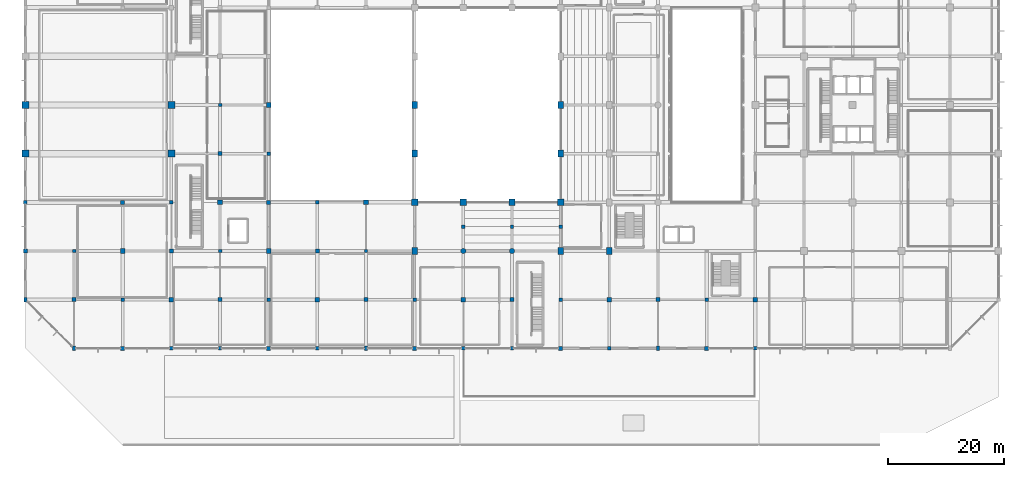
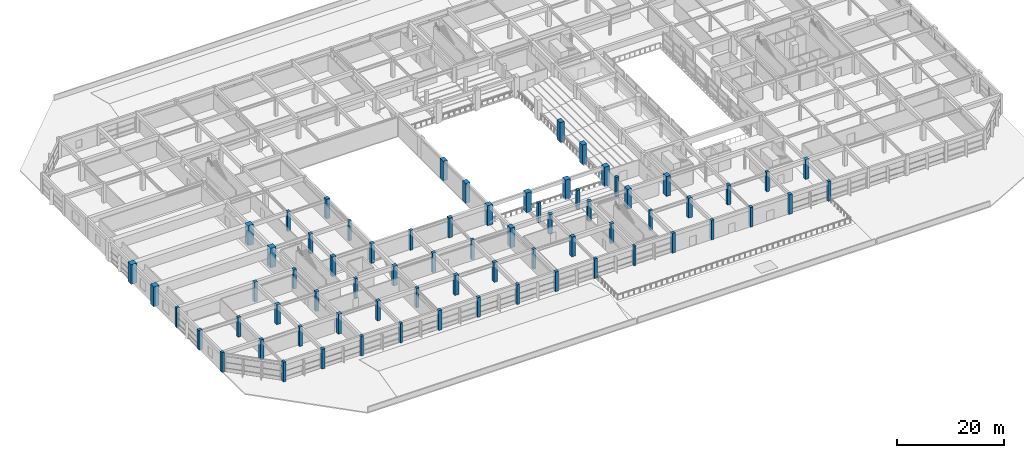
# One storey, part 1 of 60: 70 columns.
"""IFC4 building model written with IfcOpenShell, lengths in metres."""

from ifc_helpers import new_model, si_unit, direction, frame, origin, origin_2d, place, context, subcontext, project, spatial, rectangle, circle, extrude, material, material_profile, profile_set, type_object, element, save


model = new_model("IFC4")

# Units and contexts
model_context = context("Model", 3, precision=1e-05, world=origin(), true_north=direction((0.0, 1.0)))
body_context = subcontext(model_context, "Body", "Model", "MODEL_VIEW")
ifc_project = project(units=[si_unit("LENGTHUNIT", "METRE"), si_unit("AREAUNIT", "SQUARE_METRE"), si_unit("VOLUMEUNIT", "CUBIC_METRE"), si_unit("PLANEANGLEUNIT", "RADIAN"), si_unit("MASSUNIT", "GRAM", prefix="KILO")], contexts=[model_context])

# Site, building, storey
site_placement = place(None, origin())
site = spatial("IfcSite", under=ifc_project, at=site_placement, CompositionType="ELEMENT")
building_placement = place(site_placement, origin())
building = spatial("IfcBuilding", under=site, at=building_placement, Name="Xuanlan Plaza Opera House", CompositionType="ELEMENT")
storey_placement = place(building_placement, frame((0.0, 0.0, 9.89990234375)))
storey = spatial("IfcBuildingStorey", under=building, at=storey_placement, Name="L02", CompositionType="ELEMENT", Elevation=9.89990234375)

# Columns
ifc_material_1 = material(Name="Concrete C60", Category="concrete")
ifc_material_profile_1 = material_profile(ifc_material_1, rectangle(XDim=1.199951171875, YDim=1.199951171875, at=origin_2d()), Name="RC-COL 1200x1200")
ifc_profile_set_1 = profile_set([ifc_material_profile_1], Name="Concrete C60")
column_type_1 = type_object("IfcColumnType", Name="STR-COL-C-02", PredefinedType="COLUMN", material=ifc_profile_set_1)
for number, where, z_axis, x_axis, name in (
    (1, (0.0, 50.39990234375, 0.0), (0.0, 0.0, 1.0), (1.0, 0.0, 0.0), "Column L02 1-G"),
    (2, (0.0, 58.800048828125, 0.0), (0.0, 0.0, 1.0), (1.0, 0.0, 0.0), "Column L02 1-H"),
    (3, (25.199951171875, 50.39990234375, 0.0), (0.0, 0.0, 1.0), (1.0, 0.0, 0.0), "Column L02 4-G"),
    (4, (25.199951171875, 58.800048828125, 0.0), (0.0, 0.0, 1.0), (1.0, 0.0, 0.0), "Column L02 4-H"),
):
    element("IfcColumn", number, at=place(storey_placement, frame(where, z_axis=z_axis, x_axis=x_axis)), inside=storey, type_object=column_type_1, Name=name, PredefinedType="COLUMN", context=body_context, shape_type="SweptSolid", body=[
        extrude(rectangle(XDim=1.199951171875, YDim=1.199951171875, at=origin_2d()), origin(), (0.0, 0.0, 1.0), 4.5),
    ])
ifc_material_2 = material(Name="Concrete C50", Category="concrete")
ifc_material_profile_2 = material_profile(ifc_material_2, rectangle(XDim=1.10009765625, YDim=1.10009765625, at=origin_2d()), Name="RC-COL 1100x1100")
ifc_profile_set_2 = profile_set([ifc_material_profile_2], Name="Concrete C50")
column_type_2 = type_object("IfcColumnType", Name="STR-COL-C-03", PredefinedType="COLUMN", material=ifc_profile_set_2)
for number, where, z_axis, x_axis, name in (
    (5, (67.199951171875, 42.0, 0.0), (0.0, 0.0, 1.0), (1.0, 0.0, 0.0), "Column L02 9-F"),
    (6, (75.60009765625, 42.0, 0.0), (0.0, 0.0, 1.0), (1.0, 0.0, 0.0), "Column L02 10-F"),
    (7, (84.0, 42.0, 0.0), (0.0, 0.0, 1.0), (1.0, 0.0, 0.0), "Column L02 11-F"),
    (8, (92.39990234375, 42.0, 0.0), (0.0, 0.0, 1.0), (1.0, 0.0, 0.0), "Column L02 12-F"),
):
    element("IfcColumn", number, at=place(storey_placement, frame(where, z_axis=z_axis, x_axis=x_axis)), inside=storey, type_object=column_type_2, Name=name, PredefinedType="COLUMN", context=body_context, shape_type="SweptSolid", body=[
        extrude(rectangle(XDim=1.10009765625, YDim=1.10009765625, at=origin_2d()), origin(), (0.0, 0.0, 1.0), 4.5),
    ])
ifc_material_3 = material(Name="Concrete C40", Category="concrete")
ifc_material_profile_3 = material_profile(ifc_material_3, rectangle(XDim=0.800048828125, YDim=0.800048828125, at=origin_2d()), Name="RC-COL 800x800")
ifc_profile_set_3 = profile_set([ifc_material_profile_3], Name="Concrete C40")
column_type_3 = type_object("IfcColumnType", Name="STR-COL-C-06", PredefinedType="COLUMN", material=ifc_profile_set_3)
for number, where, z_axis, x_axis, name in (
    (9, (16.800048828125, 33.60009765625, 0.0), (0.0, 0.0, 1.0), (1.0, 0.0, 0.0), "Column L02 3-E"),
    (10, (25.199951171875, 25.199951171875, 0.0), (0.0, 0.0, 1.0), (1.0, 0.0, 0.0), "Column L02 4-D"),
    (11, (33.60009765625, 42.0, 0.0), (0.0, 0.0, 1.0), (1.0, 0.0, 0.0), "Column L02 5-F"),
    (12, (42.0, 33.60009765625, 0.0), (0.0, 0.0, 1.0), (1.0, 0.0, 0.0), "Column L02 6-E"),
    (13, (42.0, 58.800048828125, 0.0), (0.0, 0.0, 1.0), (1.0, 0.0, 0.0), "Column L02 6-H"),
    (14, (50.39990234375, 25.199951171875, 0.0), (0.0, 0.0, 1.0), (1.0, 0.0, 0.0), "Column L02 7-D"),
    (15, (58.800048828125, 42.0, 0.0), (0.0, 0.0, 1.0), (1.0, 0.0, 0.0), "Column L02 8-F"),
    (16, (75.60009765625, 25.199951171875, 0.0), (0.0, 0.0, 1.0), (1.0, 0.0, 0.0), "Column L02 10-D"),
    (17, (100.800048828125, 25.199951171875, 0.0), (0.0, 0.0, 1.0), (1.0, 0.0, 0.0), "Column L02 13-D"),
    (18, (126.0, 25.199951171875, 0.0), (0.0, 0.0, 1.0), (1.0, 0.0, 0.0), "Column L02 16-D"),
):
    element("IfcColumn", number, at=place(storey_placement, frame(where, z_axis=z_axis, x_axis=x_axis)), inside=storey, type_object=column_type_3, Name=name, PredefinedType="COLUMN", context=body_context, shape_type="SweptSolid", body=[
        extrude(rectangle(XDim=0.800048828125, YDim=0.800048828125, at=origin_2d()), origin(), (0.0, 0.0, 1.0), 4.5),
    ])
ifc_material_profile_4 = material_profile(ifc_material_3, rectangle(XDim=0.699951171875, YDim=0.699951171875, at=origin_2d()), Name="RC-COL 700x700")
ifc_profile_set_4 = profile_set([ifc_material_profile_4], Name="Concrete C40")
column_type_4 = type_object("IfcColumnType", Name="STR-COL-C-07", PredefinedType="COLUMN", material=ifc_profile_set_4)
for number, where, z_axis, x_axis, name in (
    (19, (0.0, 33.60009765625, 0.0), (0.0, 0.0, 1.0), (1.0, 0.0, 0.0), "Column L02 1-E"),
    (20, (8.39990234375, 25.199951171875, 0.0), (0.0, 0.0, 1.0), (1.0, 0.0, 0.0), "Column L02 2-D"),
    (21, (16.800048828125, 16.800048828125, 0.0), (0.0, 0.0, 1.0), (1.0, 0.0, 0.0), "Column L02 3-C"),
    (22, (16.800048828125, 42.0, 0.0), (0.0, 0.0, 1.0), (1.0, 0.0, 0.0), "Column L02 3-F"),
    (23, (25.199951171875, 33.60009765625, 0.0), (0.0, 0.0, 1.0), (1.0, 0.0, 0.0), "Column L02 4-E"),
    (24, (33.60009765625, 25.199951171875, 0.0), (0.0, 0.0, 1.0), (1.0, 0.0, 0.0), "Column L02 5-D"),
    (25, (33.60009765625, 50.39990234375, 0.0), (0.0, 0.0, 1.0), (1.0, 0.0, 0.0), "Column L02 5-G"),
    (26, (42.0, 16.800048828125, 0.0), (0.0, 0.0, 1.0), (1.0, 0.0, 0.0), "Column L02 6-C"),
    (27, (42.0, 42.0, 0.0), (0.0, 0.0, 1.0), (1.0, 0.0, 0.0), "Column L02 6-F"),
    (28, (50.39990234375, 33.60009765625, 0.0), (0.0, 0.0, 1.0), (1.0, 0.0, 0.0), "Column L02 7-E"),
    (29, (58.800048828125, 25.199951171875, 0.0), (0.0, 0.0, 1.0), (1.0, 0.0, 0.0), "Column L02 8-D"),
    (30, (67.199951171875, 16.800048828125, 0.0), (0.0, 0.0, 1.0), (1.0, 0.0, 0.0), "Column L02 9-C"),
    (31, (84.0, 25.199951171875, 0.0), (0.0, 0.0, 1.0), (1.0, 0.0, 0.0), "Column L02 11-D"),
    (32, (92.39990234375, 16.800048828125, 0.0), (0.0, 0.0, 1.0), (1.0, 0.0, 0.0), "Column L02 12-C"),
    (33, (109.199951171875, 25.199951171875, 0.0), (0.0, 0.0, 1.0), (1.0, 0.0, 0.0), "Column L02 14-D"),
    (34, (117.60009765625, 16.800048828125, 0.0), (0.0, 0.0, 1.0), (1.0, 0.0, 0.0), "Column L02 15-C"),
):
    element("IfcColumn", number, at=place(storey_placement, frame(where, z_axis=z_axis, x_axis=x_axis)), inside=storey, type_object=column_type_4, Name=name, PredefinedType="COLUMN", context=body_context, shape_type="SweptSolid", body=[
        extrude(rectangle(XDim=0.699951171875, YDim=0.699951171875, at=origin_2d()), origin(), (0.0, 0.0, 1.0), 4.5),
    ])
ifc_material_profile_5 = material_profile(ifc_material_3, rectangle(XDim=0.60009765625, YDim=0.60009765625, at=origin_2d()), Name="RC-COL 600x600")
ifc_profile_set_5 = profile_set([ifc_material_profile_5], Name="Concrete C40")
column_type_5 = type_object("IfcColumnType", Name="STR-COL-C-08", PredefinedType="COLUMN", material=ifc_profile_set_5)
for number, where, z_axis, x_axis, name in (
    (35, (0.0, 42.0, 0.0), (0.0, 0.0, 1.0), (1.0, 0.0, 0.0), "Column L02 1-F"),
    (36, (8.39990234375, 33.60009765625, 0.0), (0.0, 0.0, 1.0), (1.0, 0.0, 0.0), "Column L02 2-E"),
    (37, (16.800048828125, 25.199951171875, 0.0), (0.0, 0.0, 1.0), (1.0, 0.0, 0.0), "Column L02 3-D"),
    (38, (25.199951171875, 16.800048828125, 0.0), (0.0, 0.0, 1.0), (1.0, 0.0, 0.0), "Column L02 4-C"),
    (39, (25.199951171875, 42.0, 0.0), (0.0, 0.0, 1.0), (1.0, 0.0, 0.0), "Column L02 4-F"),
    (40, (33.60009765625, 33.60009765625, 0.0), (0.0, 0.0, 1.0), (1.0, 0.0, 0.0), "Column L02 5-E"),
    (41, (33.60009765625, 58.800048828125, 0.0), (0.0, 0.0, 1.0), (1.0, 0.0, 0.0), "Column L02 5-H"),
    (42, (42.0, 25.199951171875, 0.0), (0.0, 0.0, 1.0), (1.0, 0.0, 0.0), "Column L02 6-D"),
    (43, (42.0, 50.39990234375, 0.0), (0.0, 0.0, 1.0), (1.0, 0.0, 0.0), "Column L02 6-G"),
    (44, (50.39990234375, 16.800048828125, 0.0), (0.0, 0.0, 1.0), (1.0, 0.0, 0.0), "Column L02 7-C"),
    (45, (50.39990234375, 42.0, 0.0), (0.0, 0.0, 1.0), (1.0, 0.0, 0.0), "Column L02 7-F"),
    (46, (58.800048828125, 33.60009765625, 0.0), (0.0, 0.0, 1.0), (1.0, 0.0, 0.0), "Column L02 8-E"),
    (47, (67.199951171875, 25.199951171875, 0.0), (0.0, 0.0, 1.0), (1.0, 0.0, 0.0), "Column L02 9-D"),
    (48, (75.60009765625, 16.800048828125, 0.0), (0.0, 0.0, 1.0), (1.0, 0.0, 0.0), "Column L02 10-C"),
    (49, (92.39990234375, 25.199951171875, 0.0), (0.0, 0.0, 1.0), (1.0, 0.0, 0.0), "Column L02 12-D"),
    (50, (100.800048828125, 16.800048828125, 0.0), (0.0, 0.0, 1.0), (1.0, 0.0, 0.0), "Column L02 13-C"),
    (51, (117.60009765625, 25.199951171875, 0.0), (0.0, 0.0, 1.0), (1.0, 0.0, 0.0), "Column L02 15-D"),
    (52, (126.0, 16.800048828125, 0.0), (0.0, 0.0, 1.0), (1.0, 0.0, 0.0), "Column L02 16-C"),
    (53, (75.60009765625, 37.800048828125, 0.0), (0.0, 0.0, 1.0), (1.0, 0.0, 0.0), "Side Tier Support Column L02 S X75"),
    (54, (84.0, 37.800048828125, 0.0), (0.0, 0.0, 1.0), (1.0, 0.0, 0.0), "Side Tier Support Column L02 S X84"),
    (55, (92.39990234375, 37.800048828125, 0.0), (0.0, 0.0, 1.0), (1.0, 0.0, 0.0), "Side Tier Support Column L02 S X92"),
):
    element("IfcColumn", number, at=place(storey_placement, frame(where, z_axis=z_axis, x_axis=x_axis)), inside=storey, type_object=column_type_5, Name=name, PredefinedType="COLUMN", context=body_context, shape_type="SweptSolid", body=[
        extrude(rectangle(XDim=0.60009765625, YDim=0.60009765625, at=origin_2d()), origin(), (0.0, 0.0, 1.0), 4.5),
    ])
ifc_material_profile_6 = material_profile(ifc_material_2, rectangle(XDim=0.89990234375, YDim=1.199951171875, at=origin_2d()), Name="RC-COL 900x1200")
ifc_profile_set_6 = profile_set([ifc_material_profile_6], Name="Concrete C50")
column_type_6 = type_object("IfcColumnType", Name="STR-COL-C-10", PredefinedType="COLUMN", material=ifc_profile_set_6)
for number, where, z_axis, x_axis, name in (
    (56, (67.199951171875, 33.60009765625, 0.0), (0.0, 0.0, 1.0), (1.0, 0.0, 0.0), "Column L02 9-E"),
    (57, (67.199951171875, 50.39990234375, 0.0), (0.0, 0.0, 1.0), (1.0, 0.0, 0.0), "Column L02 9-G"),
    (58, (67.199951171875, 58.800048828125, 0.0), (0.0, 0.0, 1.0), (1.0, 0.0, 0.0), "Column L02 9-H"),
    (59, (92.39990234375, 33.60009765625, 0.0), (0.0, 0.0, 1.0), (1.0, 0.0, 0.0), "Column L02 12-E"),
    (60, (92.39990234375, 50.39990234375, 0.0), (0.0, 0.0, 1.0), (1.0, 0.0, 0.0), "Column L02 12-G"),
    (61, (92.39990234375, 58.800048828125, 0.0), (0.0, 0.0, 1.0), (1.0, 0.0, 0.0), "Column L02 12-H"),
    (62, (100.800048828125, 33.60009765625, 0.0), (0.0, 0.0, 1.0), (1.0, 0.0, 0.0), "Column L02 13-E"),
):
    element("IfcColumn", number, at=place(storey_placement, frame(where, z_axis=z_axis, x_axis=x_axis)), inside=storey, type_object=column_type_6, Name=name, PredefinedType="COLUMN", context=body_context, shape_type="SweptSolid", body=[
        extrude(rectangle(XDim=0.89990234375, YDim=1.199951171875, at=origin_2d()), origin(), (0.0, 0.0, 1.0), 4.5),
    ])
ifc_material_profile_7 = material_profile(ifc_material_3, circle(Radius=0.449951171875, at=origin_2d()), Name="RC-COL D900")
ifc_profile_set_7 = profile_set([ifc_material_profile_7], Name="Concrete C40")
column_type_7 = type_object("IfcColumnType", Name="STR-COL-C-12", PredefinedType="COLUMN", material=ifc_profile_set_7)
for number, where, z_axis, x_axis, name in (
    (63, (75.60009765625, 33.60009765625, 0.0), (0.0, 0.0, 1.0), (1.0, 0.0, 0.0), "Column L02 10-E"),
    (64, (84.0, 33.60009765625, 0.0), (0.0, 0.0, 1.0), (1.0, 0.0, 0.0), "Column L02 11-E"),
):
    element("IfcColumn", number, at=place(storey_placement, frame(where, z_axis=z_axis, x_axis=x_axis)), inside=storey, type_object=column_type_7, Name=name, PredefinedType="COLUMN", context=body_context, shape_type="SweptSolid", body=[
        extrude(circle(Radius=0.449951171875, at=origin_2d()), origin(), (0.0, 0.0, 1.0), 4.5),
    ])
ifc_material_profile_8 = material_profile(ifc_material_3, rectangle(XDim=0.449951171875, YDim=0.64990234375, at=origin_2d()), Name="RC-PIL 450x650")
ifc_profile_set_8 = profile_set([ifc_material_profile_8], Name="Concrete C40")
column_type_8 = type_object("IfcColumnType", Name="STR-COL-PL-01", PredefinedType="PILASTER", material=ifc_profile_set_8)
for number, where, z_axis, x_axis, name in (
    (65, (33.60009765625, 16.800048828125, 0.0), (0.0, 0.0, 1.0), (1.0, 0.0, 0.0), "Column L02 5-C"),
    (66, (84.0, 16.800048828125, 0.0), (0.0, 0.0, 1.0), (1.0, 0.0, 0.0), "Column L02 11-C"),
):
    element("IfcColumn", number, at=place(storey_placement, frame(where, z_axis=z_axis, x_axis=x_axis)), inside=storey, type_object=column_type_8, Name=name, PredefinedType="PILASTER", context=body_context, shape_type="SweptSolid", body=[
        extrude(rectangle(XDim=0.449951171875, YDim=0.64990234375, at=origin_2d()), origin(), (0.0, 0.0, 1.0), 4.5),
    ])
ifc_material_profile_9 = material_profile(ifc_material_3, rectangle(XDim=0.5, YDim=0.75, at=origin_2d()), Name="RC-PIL 500x750")
ifc_profile_set_9 = profile_set([ifc_material_profile_9], Name="Concrete C40")
column_type_9 = type_object("IfcColumnType", Name="STR-COL-PL-02", PredefinedType="PILASTER", material=ifc_profile_set_9)
for number, where, z_axis, x_axis, name in (
    (67, (0.0, 25.199951171875, 0.0), (0.0, 0.0, 1.0), (1.0, 0.0, 0.0), "Column L02 1-D"),
    (68, (8.39990234375, 16.800048828125, 0.0), (0.0, 0.0, 1.0), (1.0, 0.0, 0.0), "Column L02 2-C"),
    (69, (58.800048828125, 16.800048828125, 0.0), (0.0, 0.0, 1.0), (1.0, 0.0, 0.0), "Column L02 8-C"),
    (70, (109.199951171875, 16.800048828125, 0.0), (0.0, 0.0, 1.0), (1.0, 0.0, 0.0), "Column L02 14-C"),
):
    element("IfcColumn", number, at=place(storey_placement, frame(where, z_axis=z_axis, x_axis=x_axis)), inside=storey, type_object=column_type_9, Name=name, PredefinedType="PILASTER", context=body_context, shape_type="SweptSolid", body=[
        extrude(rectangle(XDim=0.5, YDim=0.75, at=origin_2d()), origin(), (0.0, 0.0, 1.0), 4.5),
    ])

save(model, "model.ifc")
